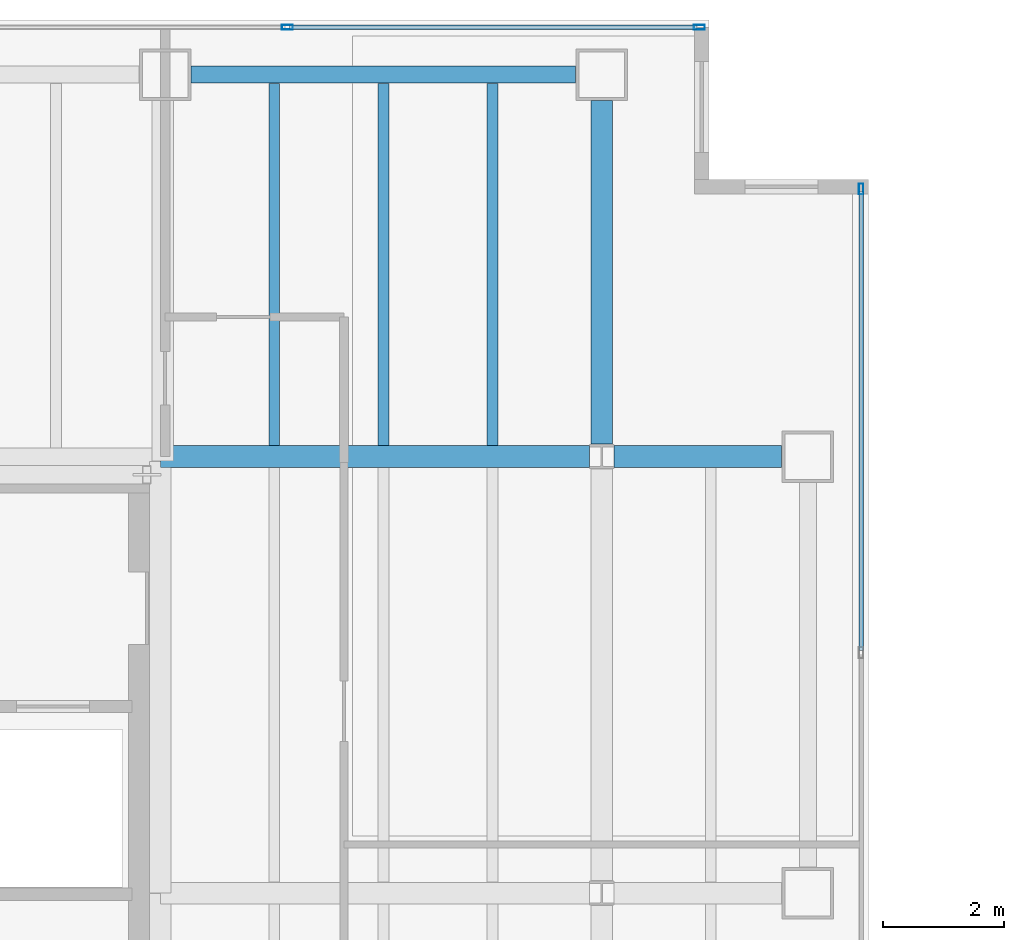
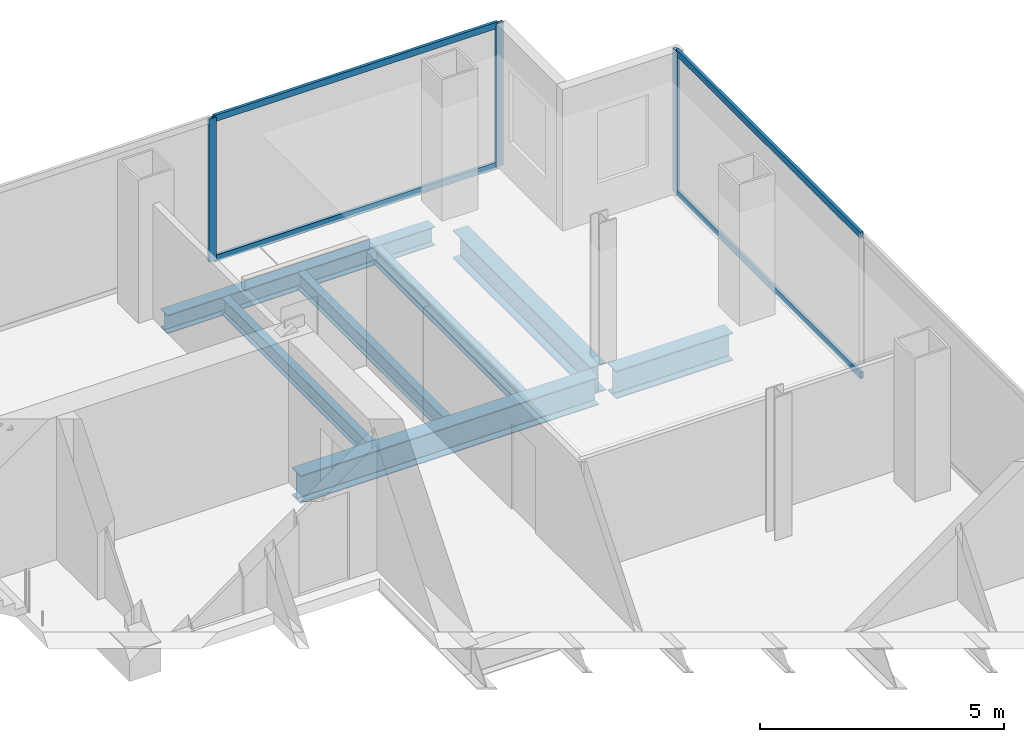
# One storey, part 18 of 24: 7 beams, 7 members, 2 elements without a shape of their own.
"""IFC4 building model written with IfcOpenShell, lengths in metres."""

import ifcopenshell
import ifcopenshell.guid

model = None  # the IFC model being written
_history = None  # IfcOwnerHistory: only IFC2X3 demands one
_inside = {}  # id of a spatial element -> (the spatial element, [elements in it])
_under = {}  # id of a project, library or spatial element -> (it, [spatial elements below it])
_declared = {}  # id of a project -> (the project, [libraries it declares])
_typed = {}  # id of a type object -> (the type object, [elements of that type])
_made_of = {}  # id of a material, layer set ... -> (it, [elements and type objects made of it])


def new_model(schema):
    """Start an empty IFC model of exactly this schema.

    Asked for "IFC4X3", IfcOpenShell would pick the latest addendum, in which some entities
    have other attributes; the version numbers below select the first issue.
    IFC2X3 requires an IfcOwnerHistory on every rooted entity: one is made here for all.
    """
    global model, _history
    if schema == "IFC4X3":
        model = ifcopenshell.file(schema_version=(4, 3, 0, 0))
    else:
        model = ifcopenshell.file(schema=schema)
    _inside.clear()
    _under.clear()
    _declared.clear()
    _typed.clear()
    _made_of.clear()
    _history = None
    if model.schema == "IFC2X3":
        org = make("IfcOrganization", Name="unknown")
        user = make(
            "IfcPersonAndOrganization",
            ThePerson=make("IfcPerson", FamilyName="unknown"),
            TheOrganization=org,
        )
        app = make(
            "IfcApplication",
            ApplicationDeveloper=org,
            Version="unknown",
            ApplicationFullName="unknown",
            ApplicationIdentifier="unknown",
        )
        _history = make(
            "IfcOwnerHistory",
            OwningUser=user,
            OwningApplication=app,
            ChangeAction="ADDED",
            CreationDate=0,
        )
    return model


def make(cls, **values):
    """One entity of the class cls with the attributes given. An attribute that is None is left unset."""
    return model.create_entity(
        cls, **{name: value for name, value in values.items() if value is not None}
    )


def rooted(cls, **values):
    """An entity with a GlobalId (a new one), such as an element, a storey or a relation."""
    return make(cls, GlobalId=ifcopenshell.guid.new(), OwnerHistory=_history, **values)


def si_unit(unit_type, name, prefix=None):
    """IfcSIUnit, for example si_unit("LENGTHUNIT", "METRE", prefix="MILLI")."""
    return make("IfcSIUnit", UnitType=unit_type, Prefix=prefix, Name=name)


def assignment(units):
    """IfcUnitAssignment: the units of a project."""
    return None if units is None else make("IfcUnitAssignment", Units=units)


def point(xyz):
    """IfcCartesianPoint."""
    return None if xyz is None else make("IfcCartesianPoint", Coordinates=xyz)


def direction(xyz):
    """IfcDirection."""
    return None if xyz is None else make("IfcDirection", DirectionRatios=xyz)


def frame(location, z_axis=None, x_axis=None):
    """IfcAxis2Placement3D, a coordinate frame: its origin and axes. An axis left out is left unset."""
    return make(
        "IfcAxis2Placement3D",
        Location=point(location),
        Axis=direction(z_axis),
        RefDirection=direction(x_axis),
    )


def frame_2d(location, x_axis=None):
    """IfcAxis2Placement2D, a coordinate frame in the plane: its origin and x axis."""
    return make(
        "IfcAxis2Placement2D", Location=point(location), RefDirection=direction(x_axis)
    )


def origin():
    """The frame at (0, 0, 0) with its axes left unset."""
    return frame((0.0, 0.0, 0.0))


def origin_2d():
    """The frame at (0, 0) in the plane with its x axis left unset."""
    return frame_2d((0.0, 0.0))


def place(relative_to, where):
    """IfcLocalPlacement: puts the frame where relative to a parent placement (None: the world)."""
    return make(
        "IfcLocalPlacement", PlacementRelTo=relative_to, RelativePlacement=where
    )


def context(
    kind, dimensions, precision=None, world=None, true_north=None, identifier=None
):
    """IfcGeometricRepresentationContext, for example the 3D "Model" context."""
    return make(
        "IfcGeometricRepresentationContext",
        ContextIdentifier=identifier,
        ContextType=kind,
        CoordinateSpaceDimension=dimensions,
        Precision=precision,
        WorldCoordinateSystem=world,
        TrueNorth=true_north,
    )


def subcontext(parent, identifier, kind, view, scale=None):
    """IfcGeometricRepresentationSubContext, for example "Body" below "Model"."""
    return make(
        "IfcGeometricRepresentationSubContext",
        ContextIdentifier=identifier,
        ContextType=kind,
        ParentContext=parent,
        TargetScale=scale,
        TargetView=view,
    )


def project(units=None, contexts=None):
    """IfcProject with its units and contexts."""
    return rooted(
        "IfcProject",
        Name="project",
        RepresentationContexts=contexts,
        UnitsInContext=assignment(units),
    )


def spatial(cls, under=None, at=None, **own):
    """A site, building, storey or space (cls), placed at a placement, below another one or the project."""
    s = rooted(cls, ObjectPlacement=at, **own)
    if under is not None:
        _under.setdefault(under.id(), (under, []))[1].append(s)
    return s


def profile(cls, at=None, kind="AREA", **sizes):
    """A parametric profile (cls). Its sizes go by their IFC names, for example OverallWidth=200.0."""
    return make(cls, ProfileType=kind, Position=at, **sizes)


def hollow_rectangle(**sizes):
    """IfcRectangleHollowProfileDef."""
    return profile("IfcRectangleHollowProfileDef", **sizes)


def i_section(**sizes):
    """IfcIShapeProfileDef."""
    return profile("IfcIShapeProfileDef", **sizes)


def extrude(swept, where, along, depth):
    """IfcExtrudedAreaSolid: the profile swept, set in the frame where, extruded along a direction by depth."""
    return make(
        "IfcExtrudedAreaSolid",
        SweptArea=swept,
        Position=where,
        ExtrudedDirection=direction(along),
        Depth=depth,
    )


def shape(context_of_items, identifier, shape_type, items):
    """IfcShapeRepresentation: the items that make up one representation, for example the "Body"."""
    return make(
        "IfcShapeRepresentation",
        ContextOfItems=context_of_items,
        RepresentationIdentifier=identifier,
        RepresentationType=shape_type,
        Items=items,
    )


def material(Name=None, Category=None):
    """IfcMaterial."""
    return make("IfcMaterial", Name=Name, Category=Category)


def material_profile(
    of_material, cross_section, Name=None, Category=None, Priority=None
):
    """IfcMaterialProfile: a cross section and its material."""
    return make(
        "IfcMaterialProfile",
        Name=Name,
        Material=of_material,
        Profile=cross_section,
        Priority=Priority,
        Category=Category,
    )


def profile_set(profiles, Name=None, composite=None):
    """IfcMaterialProfileSet."""
    return make(
        "IfcMaterialProfileSet",
        Name=Name,
        MaterialProfiles=profiles,
        CompositeProfile=composite,
    )


def made_of(thing, what):
    """Note that an element or type object is made of a material, layer set ...; save() writes the relation."""
    if what is not None:
        _made_of.setdefault(what.id(), (what, []))[1].append(thing)
    return thing


def type_object(cls, material=None, **own):
    """A type object (cls), such as IfcWallType, which elements share."""
    return made_of(rooted(cls, **own), material)


def element(
    cls,
    number,
    at=None,
    inside=None,
    cuts=None,
    type_object=None,
    material=None,
    context=None,
    identifier="Body",
    shape_type=None,
    held_by="IfcProductDefinitionShape",
    body=None,
    shapes=None,
    **own,
):
    """One element of the class cls, such as IfcWall. Its Tag is "e" and its number.

    at: its placement. inside: the storey or other place that contains it. cuts: it is an
    opening in that element (IfcRelVoidsElement). A single representation is given by context,
    identifier, shape_type and body (its items); several are given by shapes. held_by: the class
    of the entity that holds the representations. save() writes the other relations.
    """
    e = rooted(cls, Tag="e%d" % number, ObjectPlacement=at, **own)
    if body is not None:
        shapes = [shape(context, identifier, shape_type, body)]
    if shapes is not None:
        e.Representation = make(held_by, Representations=shapes)
    if inside is not None:
        _inside.setdefault(inside.id(), (inside, []))[1].append(e)
    if cuts is not None:
        rooted(
            "IfcRelVoidsElement", RelatingBuildingElement=cuts, RelatedOpeningElement=e
        )
    if type_object is not None:
        _typed.setdefault(type_object.id(), (type_object, []))[1].append(e)
    return made_of(e, material)


def aggregate(whole, parts):
    """IfcRelAggregates: a whole, such as a stair, and the parts it consists of."""
    return rooted("IfcRelAggregates", RelatingObject=whole, RelatedObjects=parts)


def save(model, path):
    """Write the relations noted so far, then the file.

    IfcRelAggregates (storeys below a building ...), IfcRelContainedInSpatialStructure (elements
    in a storey), IfcRelDefinesByType, IfcRelAssociatesMaterial and IfcRelDeclares: one each for
    every whole, place, type object, material and project.
    """
    for whole, parts in _under.values():
        aggregate(whole, parts)
    for where, things in _inside.values():
        rooted(
            "IfcRelContainedInSpatialStructure",
            RelatedElements=things,
            RelatingStructure=where,
        )
    for kind, things in _typed.values():
        rooted("IfcRelDefinesByType", RelatedObjects=things, RelatingType=kind)
    for what, things in _made_of.values():
        rooted("IfcRelAssociatesMaterial", RelatedObjects=things, RelatingMaterial=what)
    for by, libraries in _declared.values():
        rooted("IfcRelDeclares", RelatingContext=by, RelatedDefinitions=libraries)
    model.write(path)


model = new_model("IFC4")

# Units and contexts
model_context = context("Model", 3, precision=1e-05, world=origin(), true_north=direction((0.0, 1.0)))
body_context = subcontext(model_context, "Body", "Model", "MODEL_VIEW")
ifc_project = project(units=[si_unit("LENGTHUNIT", "METRE"), si_unit("AREAUNIT", "SQUARE_METRE"), si_unit("VOLUMEUNIT", "CUBIC_METRE"), si_unit("PLANEANGLEUNIT", "RADIAN"), si_unit("MASSUNIT", "GRAM", prefix="KILO")], contexts=[model_context])

# Site, building, storey
site_placement = place(None, origin())
site = spatial("IfcSite", under=ifc_project, at=site_placement, CompositionType="ELEMENT")
building_placement = place(site_placement, origin())
building = spatial("IfcBuilding", under=site, at=building_placement, Name="Cobrela Telecom Tower", CompositionType="ELEMENT")
storey_placement = place(building_placement, frame((0.0, 0.0, 152.25)))
storey = spatial("IfcBuildingStorey", under=building, at=storey_placement, Name="L38", CompositionType="ELEMENT", Elevation=152.25)

# Beams
ifc_material_1 = material(Name="Steel ASTM A992 Grade 50", Category="steel")
ifc_material_profile_1 = material_profile(ifc_material_1, i_section(OverallWidth=0.35595703125, OverallDepth=0.696044921875, WebThickness=0.015380859375, FlangeThickness=0.024658203125, FilletRadius=0.01806640625, at=origin_2d()), Name="W27X146")
ifc_profile_set_1 = profile_set([ifc_material_profile_1], Name="Steel ASTM A992 Grade 50")
beam_type_1 = type_object("IfcBeamType", Name="BM-GIRD-05", PredefinedType="USERDEFINED", material=ifc_profile_set_1)
beam_1_placement = place(storey_placement, frame((14.324951171875, 36.0, -0.617919921875), z_axis=(1.0, 0.0, 0.0), x_axis=(0.0, 1.0, 0.0)))
element("IfcBeam", 1, at=beam_1_placement, inside=storey, type_object=beam_type_1, Name="L38 Primary Girder X27", ObjectType="GIRDER", PredefinedType="USERDEFINED", context=body_context, shape_type="SweptSolid", body=[
    extrude(i_section(OverallWidth=0.35595703125, OverallDepth=0.696044921875, WebThickness=0.015380859375, FlangeThickness=0.024658203125, FilletRadius=0.01806640625, at=origin_2d()), origin(), (0.0, 0.0, 1.0), 7.070556640625),
])
beam_2_placement = place(storey_placement, frame((21.804443359375, 36.0, -0.617919921875), z_axis=(1.0, 0.0, 0.0), x_axis=(0.0, 1.0, 0.0)))
element("IfcBeam", 2, at=beam_2_placement, inside=storey, type_object=beam_type_1, Name="L38 Primary Girder X28", ObjectType="GIRDER", PredefinedType="USERDEFINED", context=body_context, shape_type="SweptSolid", body=[
    extrude(i_section(OverallWidth=0.35595703125, OverallDepth=0.696044921875, WebThickness=0.015380859375, FlangeThickness=0.024658203125, FilletRadius=0.01806640625, at=origin_2d()), origin(), (0.0, 0.0, 1.0), 2.765625),
])
beam_3_placement = place(storey_placement, frame((21.60009765625, 36.20458984375, -0.617919921875), z_axis=(0.0, 1.0, 0.0), x_axis=(-1.0, 0.0, 0.0)))
element("IfcBeam", 3, at=beam_3_placement, inside=storey, type_object=beam_type_1, Name="L38 Primary Girder Y44", ObjectType="GIRDER", PredefinedType="USERDEFINED", context=body_context, shape_type="SweptSolid", body=[
    extrude(i_section(OverallWidth=0.35595703125, OverallDepth=0.696044921875, WebThickness=0.015380859375, FlangeThickness=0.024658203125, FilletRadius=0.01806640625, at=origin_2d()), origin(), (0.0, 0.0, 1.0), 5.66552734375),
])
ifc_material_profile_2 = material_profile(ifc_material_1, i_section(OverallWidth=0.179931640625, OverallDepth=0.4169921875, WebThickness=0.010986328125, FlangeThickness=0.01806640625, FilletRadius=0.011962890625, at=origin_2d()), Name="W16X57")
ifc_profile_set_2 = profile_set([ifc_material_profile_2], Name="Steel ASTM A992 Grade 50")
beam_type_2 = type_object("IfcBeamType", Name="BM-JOIST-04", PredefinedType="JOIST", material=ifc_profile_set_2)
for number, where, z_axis, x_axis, name in (
    (4, (16.199951171875, 36.18310546875, -0.478515625), (0.0, 1.0, 0.0), (-1.0, 0.0, 0.0), "L38 Secondary Composite Floor Beam J08"),
    (5, (18.0, 36.18310546875, -0.478515625), (0.0, 1.0, 0.0), (-1.0, 0.0, 0.0), "L38 Secondary Composite Floor Beam J13"),
    (6, (19.800048828125, 36.18310546875, -0.478515625), (0.0, 1.0, 0.0), (-1.0, 0.0, 0.0), "L38 Secondary Composite Floor Beam J18"),
):
    element("IfcBeam", number, at=place(storey_placement, frame(where, z_axis=z_axis, x_axis=x_axis)), inside=storey, type_object=beam_type_2, Name=name, PredefinedType="JOIST", context=body_context, shape_type="SweptSolid", body=[
        extrude(i_section(OverallWidth=0.179931640625, OverallDepth=0.4169921875, WebThickness=0.010986328125, FlangeThickness=0.01806640625, FilletRadius=0.011962890625, at=origin_2d()), origin(), (0.0, 0.0, 1.0), 5.970947265625),
    ])
ifc_material_profile_3 = material_profile(ifc_material_1, i_section(OverallWidth=0.281982421875, OverallDepth=0.467041015625, WebThickness=0.01220703125, FlangeThickness=0.01953125, FilletRadius=0.012939453125, at=origin_2d()), Name="W18X86")
ifc_profile_set_3 = profile_set([ifc_material_profile_3], Name="Steel ASTM A992 Grade 50")
beam_type_3 = type_object("IfcBeamType", Name="BM-SPAND-04", PredefinedType="SPANDREL", material=ifc_profile_set_3)
beam_4_placement = place(storey_placement, frame((14.830078125, 42.300048828125, -0.50341796875), z_axis=(1.0, 0.0, 0.0), x_axis=(0.0, 1.0, 0.0)))
element("IfcBeam", 7, at=beam_4_placement, inside=storey, type_object=beam_type_3, Name="L38 Perimeter Spandrel X30", PredefinedType="SPANDREL", context=body_context, shape_type="SweptSolid", body=[
    extrude(i_section(OverallWidth=0.281982421875, OverallDepth=0.467041015625, WebThickness=0.01220703125, FlangeThickness=0.01953125, FilletRadius=0.012939453125, at=origin_2d()), origin(), (0.0, 0.0, 1.0), 6.33984375),
])

# Curtain wall, members
ifc_material_2 = material(Name="Anodized Bronze Aluminium 6063-T6", Category="aluminium")
curtain_wall_type = type_object("IfcCurtainWallType", Name="CW-SYS-TEL", PredefinedType="USERDEFINED", material=ifc_material_2)
curtain_wall_1_placement = place(storey_placement, origin())
curtain_wall_1 = element("IfcCurtainWall", 8, at=curtain_wall_1_placement, inside=storey, type_object=curtain_wall_type, Name="L38 Unitised Bronze Curtain Wall 07", ObjectType="UNITISED CURTAIN WALL", PredefinedType="USERDEFINED")
ifc_material_profile_4 = material_profile(ifc_material_2, hollow_rectangle(XDim=0.074951171875, YDim=0.179931640625, WallThickness=0.00390625, at=origin_2d()), Name="ALU 75x180x4")
ifc_profile_set_4 = profile_set([ifc_material_profile_4], Name="Anodized Bronze Aluminium 6063-T6")
member_type_1 = type_object("IfcMemberType", Name="CW-SYS-TEL-MUL", PredefinedType="MULLION", material=ifc_profile_set_4)
member_1_placement = place(storey_placement, frame((16.416748046875, 43.080078125, 0.0), z_axis=(0.0, 0.0, 1.0), x_axis=(0.0, 1.0, 0.0)))
member_1 = element("IfcMember", 9, at=member_1_placement, type_object=member_type_1, Name="CW-TEL mullion 3", PredefinedType="MULLION", context=body_context, shape_type="SweptSolid", body=[
    extrude(hollow_rectangle(XDim=0.074951171875, YDim=0.179931640625, WallThickness=0.00390625, at=origin_2d()), origin(), (0.0, 0.0, 1.0), 3.580078125),
])
member_2_placement = place(storey_placement, frame((23.21240234375, 43.080078125, 0.0), z_axis=(0.0, 0.0, 1.0), x_axis=(0.0, 1.0, 0.0)))
member_2 = element("IfcMember", 10, at=member_2_placement, type_object=member_type_1, Name="CW-TEL mullion 4", PredefinedType="MULLION", context=body_context, shape_type="SweptSolid", body=[
    extrude(hollow_rectangle(XDim=0.074951171875, YDim=0.179931640625, WallThickness=0.00390625, at=origin_2d()), origin(), (0.0, 0.0, 1.0), 3.580078125),
])

# Curtain wall, member
curtain_wall_2_placement = place(storey_placement, origin())
curtain_wall_2 = element("IfcCurtainWall", 11, at=curtain_wall_2_placement, inside=storey, type_object=curtain_wall_type, Name="L38 Unitised Bronze Curtain Wall 10", ObjectType="UNITISED CURTAIN WALL", PredefinedType="USERDEFINED")
member_3_placement = place(storey_placement, frame((25.8798828125, 40.41259765625, 0.0), z_axis=(0.0, 0.0, 1.0), x_axis=(1.0, 0.0, 0.0)))
member_3 = element("IfcMember", 12, at=member_3_placement, type_object=member_type_1, Name="CW-TEL mullion 1", PredefinedType="MULLION", context=body_context, shape_type="SweptSolid", body=[
    extrude(hollow_rectangle(XDim=0.074951171875, YDim=0.179931640625, WallThickness=0.00390625, at=origin_2d()), origin(), (0.0, 0.0, 1.0), 3.580078125),
])

# Member
ifc_material_profile_5 = material_profile(ifc_material_2, hollow_rectangle(XDim=0.070068359375, YDim=0.159912109375, WallThickness=0.00390625, at=origin_2d()), Name="ALU 70x160x4")
ifc_profile_set_5 = profile_set([ifc_material_profile_5], Name="Anodized Bronze Aluminium 6063-T6")
member_type_2 = type_object("IfcMemberType", Name="CW-SYS-TEL-TRN", PredefinedType="USERDEFINED", material=ifc_profile_set_5)
member_4_placement = place(storey_placement, frame((16.4541015625, 43.080078125, 0.034912109375), z_axis=(1.0, 0.0, 0.0), x_axis=(0.0, 1.0, 0.0)))
member_4 = element("IfcMember", 13, at=member_4_placement, type_object=member_type_2, Name="CW-TEL transom 3.1", ObjectType="TRANSOM", PredefinedType="USERDEFINED", context=body_context, shape_type="SweptSolid", body=[
    extrude(hollow_rectangle(XDim=0.070068359375, YDim=0.159912109375, WallThickness=0.00390625, at=origin_2d()), origin(), (0.0, 0.0, 1.0), 6.720947265625),
])

member_5_placement = place(storey_placement, frame((16.4541015625, 43.080078125, 3.544921875), z_axis=(1.0, 0.0, 0.0), x_axis=(0.0, 1.0, 0.0)))
member_5 = element("IfcMember", 14, at=member_5_placement, type_object=member_type_2, Name="CW-TEL transom 3.2", ObjectType="TRANSOM", PredefinedType="USERDEFINED", context=body_context, shape_type="SweptSolid", body=[
    extrude(hollow_rectangle(XDim=0.070068359375, YDim=0.159912109375, WallThickness=0.00390625, at=origin_2d()), origin(), (0.0, 0.0, 1.0), 6.720947265625),
])

aggregate(curtain_wall_1, [member_1, member_2, member_4, member_5])

member_6_placement = place(storey_placement, frame((25.8798828125, 40.375, 0.034912109375), z_axis=(0.0, -1.0, 0.0), x_axis=(1.0, 0.0, 0.0)))
member_6 = element("IfcMember", 15, at=member_6_placement, type_object=member_type_2, Name="CW-TEL transom 1.1", ObjectType="TRANSOM", PredefinedType="USERDEFINED", context=body_context, shape_type="SweptSolid", body=[
    extrude(hollow_rectangle(XDim=0.070068359375, YDim=0.159912109375, WallThickness=0.00390625, at=origin_2d()), origin(), (0.0, 0.0, 1.0), 7.572509765625),
])

member_7_placement = place(storey_placement, frame((25.8798828125, 40.375, 3.544921875), z_axis=(0.0, -1.0, 0.0), x_axis=(1.0, 0.0, 0.0)))
member_7 = element("IfcMember", 16, at=member_7_placement, type_object=member_type_2, Name="CW-TEL transom 1.2", ObjectType="TRANSOM", PredefinedType="USERDEFINED", context=body_context, shape_type="SweptSolid", body=[
    extrude(hollow_rectangle(XDim=0.070068359375, YDim=0.159912109375, WallThickness=0.00390625, at=origin_2d()), origin(), (0.0, 0.0, 1.0), 7.572509765625),
])

aggregate(curtain_wall_2, [member_3, member_6, member_7])

save(model, "model.ifc")
